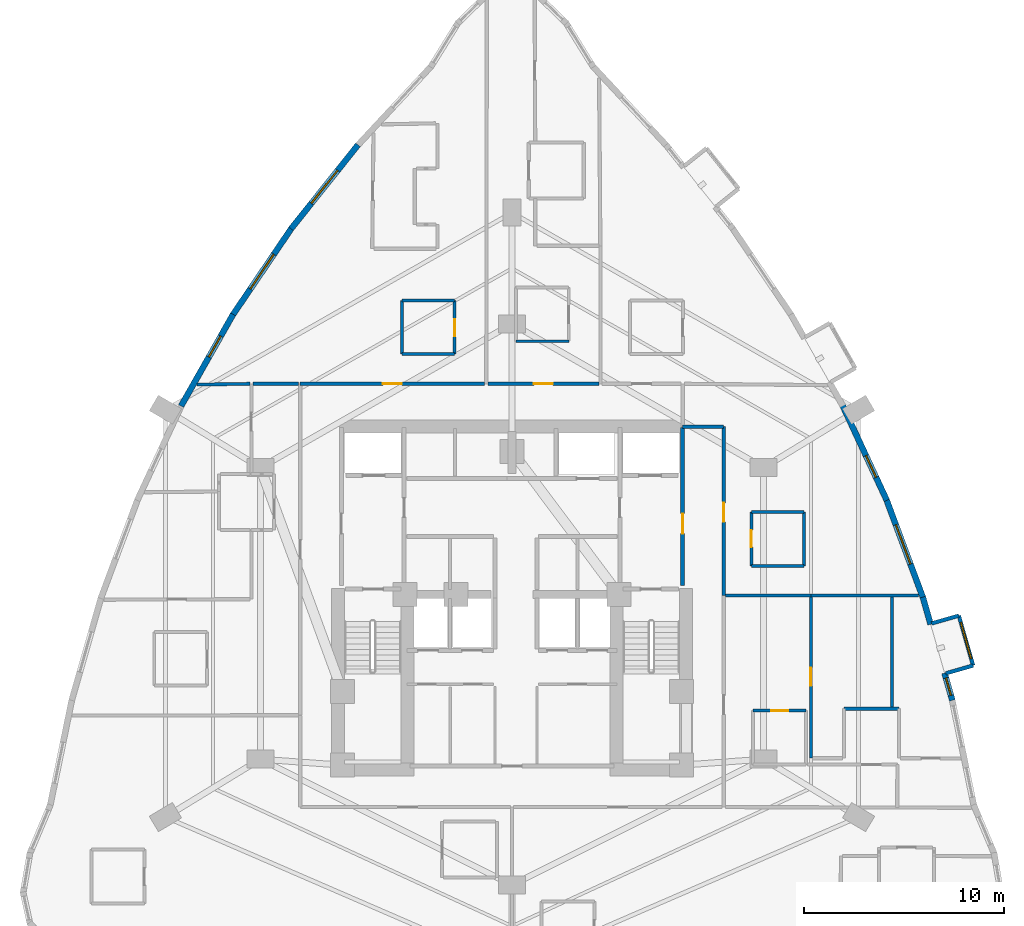
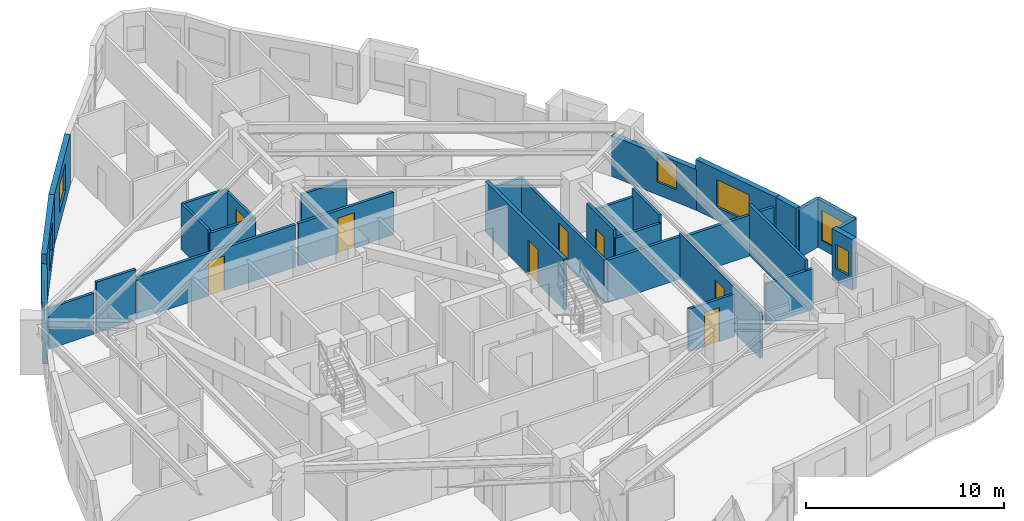
# One storey, part 10 of 13: 32 walls, 8 doors, 7 windows, 15 openings.
"""IFC4 building model written with IfcOpenShell, lengths in metres."""

from ifc_helpers import new_model, si_unit, direction, frame, frame_2d, origin, place, context, subcontext, project, spatial, rectangle, extrude, material, layer, layer_set, type_object, element, fill, save


model = new_model("IFC4")

# Units and contexts
model_context = context("Model", 3, precision=1e-05, world=origin(), true_north=direction((0.0, 1.0)))
body_context = subcontext(model_context, "Body", "Model", "MODEL_VIEW")
ifc_project = project(units=[si_unit("LENGTHUNIT", "METRE"), si_unit("AREAUNIT", "SQUARE_METRE"), si_unit("VOLUMEUNIT", "CUBIC_METRE"), si_unit("PLANEANGLEUNIT", "RADIAN"), si_unit("MASSUNIT", "GRAM", prefix="KILO")], contexts=[model_context])

# Site, building, storey
site_placement = place(None, origin())
site = spatial("IfcSite", under=ifc_project, at=site_placement, CompositionType="ELEMENT")
building_placement = place(site_placement, origin())
building = spatial("IfcBuilding", under=site, at=building_placement, Name="Miruveldt Soraemaru", CompositionType="ELEMENT")
storey_placement = place(building_placement, frame((0.0, 0.0, 63.199951171875)))
storey = spatial("IfcBuildingStorey", under=building, at=storey_placement, Name="L17", CompositionType="ELEMENT", Elevation=63.199951171875)

# Walls
ifc_material_1 = material(Name="White powder-coated aluminium EN AW-6060 T6", Category="aluminium")
ifc_layer_1 = layer(ifc_material_1, 0.18994140625, Name="White powder-coated aluminium EN AW-6060 T6", Category="aluminium")
ifc_layer_set_1 = layer_set([ifc_layer_1], Name="White powder-coated aluminium EN AW-6060 T6")
wall_type_1 = type_object("IfcWallType", Name="WALL-BAY-ALU190", PredefinedType="SOLIDWALL", material=ifc_layer_set_1)
wall_1_placement = place(storey_placement, frame((65.724365234375, 40.097900390625, 0.0), z_axis=(0.0, 0.0, 1.0), x_axis=(0.961452801096, 0.274970018845, 0.0)))
element("IfcWall", 1, at=wall_1_placement, inside=storey, type_object=wall_type_1, Name="L17 Bay Window Side Cheek 4L", PredefinedType="SOLIDWALL", context=body_context, shape_type="SweptSolid", body=[
    extrude(rectangle(XDim=1.425048828125, YDim=0.18994140625, at=frame_2d((0.71240234375, 0.0))), origin(), (0.0, 0.0, 1.0), 2.97509765625),
])
wall_2_placement = place(storey_placement, frame((66.37939453125, 42.989501953125, 0.0), z_axis=(0.0, 0.0, 1.0), x_axis=(-0.961439844578, -0.275015318223, 0.0)))
element("IfcWall", 2, at=wall_2_placement, inside=storey, type_object=wall_type_1, Name="L17 Bay Window Side Cheek 4R", PredefinedType="SOLIDWALL", context=body_context, shape_type="SweptSolid", body=[
    extrude(rectangle(XDim=1.4248046875, YDim=0.18994140625, at=frame_2d((0.71240234375, 0.0))), origin(), (0.0, 0.0, 1.0), 2.97509765625),
])

# Wall, opening, window
wall_3_placement = place(storey_placement, frame((67.094482421875, 40.48974609375, 0.0), z_axis=(0.0, 0.0, 1.0), x_axis=(-0.275031158597, 0.961435313373, 0.0)))
wall_3 = element("IfcWall", 3, at=wall_3_placement, inside=storey, type_object=wall_type_1, Name="L17 Bay Window Front Frame 4", PredefinedType="SOLIDWALL", context=body_context, shape_type="SweptSolid", body=[
    extrude(rectangle(XDim=2.60009765625, YDim=0.18994140625, at=frame_2d((1.300048828125, 0.0))), origin(), (0.0, 0.0, 1.0), 2.97509765625),
])
opening_1_placement = place(wall_3_placement, frame((0.35009765625, 0.0, 0.550048828125)))
opening_1 = element("IfcOpeningElement", 4, at=opening_1_placement, cuts=wall_3, Name="Opening WN-6", PredefinedType="OPENING", context=body_context, shape_type="SweptSolid", body=[
    extrude(rectangle(XDim=1.89990234375, YDim=1.85009765625, at=frame_2d((0.949951171875, 0.925048828125))), frame((0.0, 0.10498046875, 0.0), z_axis=(0.0, -1.0, 0.0), x_axis=(1.0, 0.0, 0.0)), (0.0, 0.0, 1.0), 0.2099609375),
])
ifc_material_2 = material(Name="Triple low-e insulated glazing", Category="glass")
window_type_1 = type_object("IfcWindowType", Name="WIN-BAYW-1900x1850", PartitioningType="SINGLE_PANEL", PredefinedType="WINDOW", material=ifc_material_2)
window_1_placement = place(opening_1_placement, origin())
window_1 = element("IfcWindow", 5, at=window_1_placement, inside=storey, type_object=window_type_1, Name="L17 Projecting Bay Window 4", OverallHeight=1.85009765625, OverallWidth=1.89990234375, PartitioningType="SINGLE_PANEL", PredefinedType="WINDOW", context=body_context, shape_type="SweptSolid", body=[
    extrude(rectangle(XDim=1.89990234375, YDim=1.85009765625, at=frame_2d((0.949951171875, 0.925048828125))), frame((0.0, 0.030029296875, 0.0), z_axis=(0.0, -1.0, 0.0), x_axis=(1.0, 0.0, 0.0)), (0.0, 0.0, 1.0), 0.06005859375),
])
fill(opening_1, window_1)

ifc_material_3 = material(Name="Precast concrete C45/55 (45 MPa)", Category="concrete")
ifc_layer_2 = layer(ifc_material_3, 0.300048828125, Name="Precast concrete C45/55 (45 MPa)", Category="concrete")
ifc_layer_set_2 = layer_set([ifc_layer_2], Name="Precast concrete C45/55 (45 MPa)")
wall_type_2 = type_object("IfcWallType", Name="WALL-EXT-PC300", PredefinedType="SOLIDWALL", material=ifc_layer_set_2)
wall_4_placement = place(storey_placement, frame((36.285400390625, 66.563232421875, 0.0), z_axis=(0.0, 0.0, 1.0), x_axis=(-0.623631415275, -0.781718528553, 0.0)))
wall_4 = element("IfcWall", 6, at=wall_4_placement, inside=storey, type_object=wall_type_2, Name="L17 Precast Concrete Facade Wall 8", PredefinedType="SOLIDWALL", context=body_context, shape_type="SweptSolid", body=[
    extrude(rectangle(XDim=5.37744140625, YDim=0.300048828125, at=frame_2d((2.688720703125, 0.0))), origin(), (0.0, 0.0, 1.0), 3.125),
])
opening_2_placement = place(wall_4_placement, frame((1.637939453125, 0.0, 0.800048828125)))
opening_2 = element("IfcOpeningElement", 7, at=opening_2_placement, cuts=wall_4, Name="Opening WN-1", PredefinedType="OPENING", context=body_context, shape_type="SweptSolid", body=[
    extrude(rectangle(XDim=2.10009765625, YDim=1.699951171875, at=frame_2d((1.050048828125, 0.85009765625))), frame((0.0, 0.16015625, 0.0), z_axis=(0.0, -1.0, 0.0), x_axis=(1.0, 0.0, 0.0)), (0.0, 0.0, 1.0), 0.320068359375),
])
window_type_2 = type_object("IfcWindowType", Name="WIN-PUNCH-2100x1700", PartitioningType="SINGLE_PANEL", PredefinedType="WINDOW", material=ifc_material_2)
window_2_placement = place(opening_2_placement, origin())
window_2 = element("IfcWindow", 8, at=window_2_placement, inside=storey, type_object=window_type_2, Name="L17 Punched Triple-Glazed Window 08.1", OverallHeight=1.699951171875, OverallWidth=2.10009765625, PartitioningType="SINGLE_PANEL", PredefinedType="WINDOW", context=body_context, shape_type="SweptSolid", body=[
    extrude(rectangle(XDim=2.10009765625, YDim=1.699951171875, at=frame_2d((1.050048828125, 0.85009765625))), frame((0.0, 0.030029296875, 0.0), z_axis=(0.0, -1.0, 0.0), x_axis=(1.0, 0.0, 0.0)), (0.0, 0.0, 1.0), 0.06005859375),
])
fill(opening_2, window_2)

wall_5_placement = place(storey_placement, frame((32.973388671875, 62.416015625, 0.0), z_axis=(0.0, 0.0, 1.0), x_axis=(-0.560805458983, -0.827947605332, 0.0)))
wall_5 = element("IfcWall", 9, at=wall_5_placement, inside=storey, type_object=wall_type_2, Name="L17 Precast Concrete Facade Wall 9", PredefinedType="SOLIDWALL", context=body_context, shape_type="SweptSolid", body=[
    extrude(rectangle(XDim=5.3115234375, YDim=0.300048828125, at=frame_2d((2.65576171875, 0.0))), origin(), (0.0, 0.0, 1.0), 3.125),
])
opening_3_placement = place(wall_5_placement, frame((1.60595703125, 0.0, 0.800048828125)))
opening_3 = element("IfcOpeningElement", 10, at=opening_3_placement, cuts=wall_5, Name="Opening WN-1", PredefinedType="OPENING", context=body_context, shape_type="SweptSolid", body=[
    extrude(rectangle(XDim=2.10009765625, YDim=1.699951171875, at=frame_2d((1.050048828125, 0.85009765625))), frame((0.0, 0.16015625, 0.0), z_axis=(0.0, -1.0, 0.0), x_axis=(1.0, 0.0, 0.0)), (0.0, 0.0, 1.0), 0.320068359375),
])
window_3_placement = place(opening_3_placement, origin())
window_3 = element("IfcWindow", 11, at=window_3_placement, inside=storey, type_object=window_type_2, Name="L17 Punched Triple-Glazed Window 09.1", OverallHeight=1.699951171875, OverallWidth=2.10009765625, PartitioningType="SINGLE_PANEL", PredefinedType="WINDOW", context=body_context, shape_type="SweptSolid", body=[
    extrude(rectangle(XDim=2.10009765625, YDim=1.699951171875, at=frame_2d((1.050048828125, 0.85009765625))), frame((0.0, 0.030029296875, 0.0), z_axis=(0.0, -1.0, 0.0), x_axis=(1.0, 0.0, 0.0)), (0.0, 0.0, 1.0), 0.06005859375),
])
fill(opening_3, window_3)

wall_6_placement = place(storey_placement, frame((30.031494140625, 58.077880859375, 0.0), z_axis=(0.0, 0.0, 1.0), x_axis=(-0.493371966501, -0.869818430864, 0.0)))
wall_6 = element("IfcWall", 12, at=wall_6_placement, inside=storey, type_object=wall_type_2, Name="L17 Precast Concrete Facade Wall 10", PredefinedType="SOLIDWALL", context=body_context, shape_type="SweptSolid", body=[
    extrude(rectangle(XDim=5.278564453125, YDim=0.300048828125, at=frame_2d((2.63916015625, 0.0))), origin(), (0.0, 0.0, 1.0), 2.512939453125),
])
opening_4_placement = place(wall_6_placement, frame((1.256103515625, 0.0, 0.780029296875)))
opening_4 = element("IfcOpeningElement", 13, at=opening_4_placement, cuts=wall_6, Name="Opening WN-4", PredefinedType="OPENING", context=body_context, shape_type="SweptSolid", body=[
    extrude(rectangle(XDim=1.199951171875, YDim=1.550048828125, at=frame_2d((0.60009765625, 0.77490234375))), frame((0.0, 0.16015625, 0.0), z_axis=(0.0, -1.0, 0.0), x_axis=(1.0, 0.0, 0.0)), (0.0, 0.0, 1.0), 0.320068359375),
])
window_type_3 = type_object("IfcWindowType", Name="WIN-PUNCH-1200x1550", PartitioningType="SINGLE_PANEL", PredefinedType="WINDOW", material=ifc_material_2)
window_4_placement = place(opening_4_placement, origin())
window_4 = element("IfcWindow", 14, at=window_4_placement, inside=storey, type_object=window_type_3, Name="L17 Punched Triple-Glazed Window 10.1", OverallHeight=1.550048828125, OverallWidth=1.199951171875, PartitioningType="SINGLE_PANEL", PredefinedType="WINDOW", context=body_context, shape_type="SweptSolid", body=[
    extrude(rectangle(XDim=1.199951171875, YDim=1.550048828125, at=frame_2d((0.60009765625, 0.77490234375))), frame((0.0, 0.030029296875, 0.0), z_axis=(0.0, -1.0, 0.0), x_axis=(1.0, 0.0, 0.0)), (0.0, 0.0, 1.0), 0.06005859375),
])
fill(opening_4, window_4)

wall_7_placement = place(storey_placement, frame((66.05322265625, 38.74755859375, 0.0), z_axis=(0.0, 0.0, 1.0), x_axis=(-0.274834773231, 0.961491470281, 0.0)))
wall_7 = element("IfcWall", 15, at=wall_7_placement, inside=storey, type_object=wall_type_2, Name="L17 Precast Pier Wall 36A", PredefinedType="SOLIDWALL", context=body_context, shape_type="SweptSolid", body=[
    extrude(rectangle(XDim=1.418701171875, YDim=0.300048828125, at=frame_2d((0.70947265625, 0.0))), origin(), (0.0, 0.0, 1.0), 3.125),
])
opening_5_placement = place(wall_7_placement, frame((0.260009765625, 0.0, 0.780029296875)))
opening_5 = element("IfcOpeningElement", 16, at=opening_5_placement, cuts=wall_7, Name="Opening WN-7", PredefinedType="OPENING", context=body_context, shape_type="SweptSolid", body=[
    extrude(rectangle(XDim=0.89990234375, YDim=1.5, at=frame_2d((0.449951171875, 0.75))), frame((0.0, 0.16015625, 0.0), z_axis=(0.0, -1.0, 0.0), x_axis=(1.0, 0.0, 0.0)), (0.0, 0.0, 1.0), 0.320068359375),
])
window_type_4 = type_object("IfcWindowType", Name="WIN-PUNCH-900x1500", PartitioningType="SINGLE_PANEL", PredefinedType="WINDOW", material=ifc_material_2)
window_5_placement = place(opening_5_placement, origin())
window_5 = element("IfcWindow", 17, at=window_5_placement, inside=storey, type_object=window_type_4, Name="L17 Punched Triple-Glazed Window 36A.1", OverallHeight=1.5, OverallWidth=0.89990234375, PartitioningType="SINGLE_PANEL", PredefinedType="WINDOW", context=body_context, shape_type="SweptSolid", body=[
    extrude(rectangle(XDim=0.89990234375, YDim=1.5, at=frame_2d((0.449951171875, 0.75))), frame((0.0, 0.030029296875, 0.0), z_axis=(0.0, -1.0, 0.0), x_axis=(1.0, 0.0, 0.0)), (0.0, 0.0, 1.0), 0.06005859375),
])
fill(opening_5, window_5)

# Wall
wall_8_placement = place(storey_placement, frame((64.964599609375, 42.5537109375, 0.0), z_axis=(0.0, 0.0, 1.0), x_axis=(-0.274880256619, 0.961478468049, 0.0)))
element("IfcWall", 18, at=wall_8_placement, inside=storey, type_object=wall_type_2, Name="L17 Precast Pier Wall 36B", PredefinedType="SOLIDWALL", context=body_context, shape_type="SweptSolid", body=[
    extrude(rectangle(XDim=1.41845703125, YDim=0.300048828125, at=frame_2d((0.709228515625, 0.0))), origin(), (0.0, 0.0, 1.0), 3.125),
])

# Wall, opening, window
wall_9_placement = place(storey_placement, frame((64.596435546875, 43.85107421875, 0.0), z_axis=(0.0, 0.0, 1.0), x_axis=(-0.349006928215, 0.937120143876, 0.0)))
wall_9 = element("IfcWall", 19, at=wall_9_placement, inside=storey, type_object=wall_type_2, Name="L17 Precast Concrete Facade Wall 37", PredefinedType="SOLIDWALL", context=body_context, shape_type="SweptSolid", body=[
    extrude(rectangle(XDim=5.3115234375, YDim=0.300048828125, at=frame_2d((2.65576171875, 0.0))), origin(), (0.0, 0.0, 1.0), 3.125),
])
opening_6_placement = place(wall_9_placement, frame((1.8359375, 0.0, 0.800048828125)))
opening_6 = element("IfcOpeningElement", 20, at=opening_6_placement, cuts=wall_9, Name="Opening WN-1", PredefinedType="OPENING", context=body_context, shape_type="SweptSolid", body=[
    extrude(rectangle(XDim=2.10009765625, YDim=1.699951171875, at=frame_2d((1.050048828125, 0.85009765625))), frame((0.0, 0.16015625, 0.0), z_axis=(0.0, -1.0, 0.0), x_axis=(1.0, 0.0, 0.0)), (0.0, 0.0, 1.0), 0.320068359375),
])
window_6_placement = place(opening_6_placement, origin())
window_6 = element("IfcWindow", 21, at=window_6_placement, inside=storey, type_object=window_type_2, Name="L17 Punched Triple-Glazed Window 37.1", OverallHeight=1.699951171875, OverallWidth=2.10009765625, PartitioningType="SINGLE_PANEL", PredefinedType="WINDOW", context=body_context, shape_type="SweptSolid", body=[
    extrude(rectangle(XDim=2.10009765625, YDim=1.699951171875, at=frame_2d((1.050048828125, 0.85009765625))), frame((0.0, 0.030029296875, 0.0), z_axis=(0.0, -1.0, 0.0), x_axis=(1.0, 0.0, 0.0)), (0.0, 0.0, 1.0), 0.06005859375),
])
fill(opening_6, window_6)

wall_10_placement = place(storey_placement, frame((62.769775390625, 48.76416015625, 0.0), z_axis=(0.0, 0.0, 1.0), x_axis=(-0.422343511182, 0.906435854632, 0.0)))
wall_10 = element("IfcWall", 22, at=wall_10_placement, inside=storey, type_object=wall_type_2, Name="L17 Precast Concrete Facade Wall 38", PredefinedType="SOLIDWALL", context=body_context, shape_type="SweptSolid", body=[
    extrude(rectangle(XDim=5.2783203125, YDim=0.300048828125, at=frame_2d((2.63916015625, 0.0))), origin(), (0.0, 0.0, 1.0), 2.512939453125),
])
opening_7_placement = place(wall_10_placement, frame((1.27001953125, 0.0, 0.780029296875)))
opening_7 = element("IfcOpeningElement", 23, at=opening_7_placement, cuts=wall_10, Name="Opening WN-4", PredefinedType="OPENING", context=body_context, shape_type="SweptSolid", body=[
    extrude(rectangle(XDim=1.199951171875, YDim=1.550048828125, at=frame_2d((0.60009765625, 0.77490234375))), frame((0.0, 0.16015625, 0.0), z_axis=(0.0, -1.0, 0.0), x_axis=(1.0, 0.0, 0.0)), (0.0, 0.0, 1.0), 0.320068359375),
])
window_7_placement = place(opening_7_placement, origin())
window_7 = element("IfcWindow", 24, at=window_7_placement, inside=storey, type_object=window_type_3, Name="L17 Punched Triple-Glazed Window 38.1", OverallHeight=1.550048828125, OverallWidth=1.199951171875, PartitioningType="SINGLE_PANEL", PredefinedType="WINDOW", context=body_context, shape_type="SweptSolid", body=[
    extrude(rectangle(XDim=1.199951171875, YDim=1.550048828125, at=frame_2d((0.60009765625, 0.77490234375))), frame((0.0, 0.030029296875, 0.0), z_axis=(0.0, -1.0, 0.0), x_axis=(1.0, 0.0, 0.0)), (0.0, 0.0, 1.0), 0.06005859375),
])
fill(opening_7, window_7)

# Wall, opening, door
ifc_material_4 = material(Name="Gypsum plasterboard lining", Category="gypsum")
ifc_layer_3 = layer(ifc_material_4, 0.14990234375, Name="Gypsum plasterboard lining", Category="gypsum")
ifc_layer_set_3 = layer_set([ifc_layer_3], Name="Gypsum plasterboard lining")
wall_type_3 = type_object("IfcWallType", Name="WALL-INT-PLUMB", PredefinedType="PLUMBINGWALL", material=ifc_layer_set_3)
wall_11_placement = place(storey_placement, frame((41.1298828125, 56.080078125, 0.0), z_axis=(0.0, 0.0, 1.0), x_axis=(0.0, 1.0, 0.0)))
wall_11 = element("IfcWall", 25, at=wall_11_placement, inside=storey, type_object=wall_type_3, Name="L17 Partition Wall 12", PredefinedType="PLUMBINGWALL", context=body_context, shape_type="SweptSolid", body=[
    extrude(rectangle(XDim=2.699951171875, YDim=0.14990234375, at=frame_2d((1.35009765625, 0.0))), origin(), (0.0, 0.0, 1.0), 2.625),
])
opening_8_placement = place(wall_11_placement, frame((0.909912109375, 0.0, 0.0)))
opening_8 = element("IfcOpeningElement", 26, at=opening_8_placement, cuts=wall_11, Name="Opening FD3", PredefinedType="OPENING", context=body_context, shape_type="SweptSolid", body=[
    extrude(rectangle(XDim=0.85009765625, YDim=2.10009765625, at=frame_2d((0.425048828125, 1.050048828125))), frame((0.0, 0.0849609375, 0.0), z_axis=(0.0, -1.0, 0.0), x_axis=(1.0, 0.0, 0.0)), (0.0, 0.0, 1.0), 0.169921875),
])
ifc_material_5 = material(Name="Anodised aluminium EN AW-6063 T6", Category="aluminium")
door_type_1 = type_object("IfcDoorType", Name="DOOR-FD3-850", OperationType="NOTDEFINED", PredefinedType="DOOR", material=ifc_material_5)
door_1_placement = place(opening_8_placement, origin())
door_1 = element("IfcDoor", 27, at=door_1_placement, inside=storey, type_object=door_type_1, Name="L17 Unit 1702 BTH Door", OperationType="SINGLE_SWING_RIGHT", OverallHeight=2.10009765625, OverallWidth=0.85009765625, PredefinedType="DOOR", context=body_context, shape_type="SweptSolid", body=[
    extrude(rectangle(XDim=0.85009765625, YDim=2.10009765625, at=frame_2d((0.425048828125, 1.050048828125))), frame((0.0, 0.02490234375, 0.0), z_axis=(0.0, -1.0, 0.0), x_axis=(1.0, 0.0, 0.0)), (0.0, 0.0, 1.0), 0.050048828125),
])
fill(opening_8, door_1)

wall_12_placement = place(storey_placement, frame((55.98193359375, 48.179931640625, 0.0), z_axis=(0.0, 0.0, 1.0), x_axis=(0.0, -1.0, 0.0)))
wall_12 = element("IfcWall", 28, at=wall_12_placement, inside=storey, type_object=wall_type_3, Name="L17 Partition Wall 72", PredefinedType="PLUMBINGWALL", context=body_context, shape_type="SweptSolid", body=[
    extrude(rectangle(XDim=2.699951171875, YDim=0.14990234375, at=frame_2d((1.35009765625, 0.0))), origin(), (0.0, 0.0, 1.0), 3.125),
])
opening_9_placement = place(wall_12_placement, frame((0.909912109375, 0.0, 0.0)))
opening_9 = element("IfcOpeningElement", 29, at=opening_9_placement, cuts=wall_12, Name="Opening FD3", PredefinedType="OPENING", context=body_context, shape_type="SweptSolid", body=[
    extrude(rectangle(XDim=0.85009765625, YDim=2.10009765625, at=frame_2d((0.425048828125, 1.050048828125))), frame((0.0, 0.0849609375, 0.0), z_axis=(0.0, -1.0, 0.0), x_axis=(1.0, 0.0, 0.0)), (0.0, 0.0, 1.0), 0.169921875),
])
door_2_placement = place(opening_9_placement, origin())
door_2 = element("IfcDoor", 30, at=door_2_placement, inside=storey, type_object=door_type_1, Name="L17 Unit CL07 BTH Door", OperationType="SINGLE_SWING_LEFT", OverallHeight=2.10009765625, OverallWidth=0.85009765625, PredefinedType="DOOR", context=body_context, shape_type="SweptSolid", body=[
    extrude(rectangle(XDim=0.85009765625, YDim=2.10009765625, at=frame_2d((0.425048828125, 1.050048828125))), frame((0.0, 0.02490234375, 0.0), z_axis=(0.0, -1.0, 0.0), x_axis=(1.0, 0.0, 0.0)), (0.0, 0.0, 1.0), 0.050048828125),
])
fill(opening_9, door_2)

wall_13_placement = place(storey_placement, frame((58.72998046875, 38.22998046875, 0.0), z_axis=(0.0, 0.0, 1.0), x_axis=(-1.0, 0.0, 0.0)))
wall_13 = element("IfcWall", 31, at=wall_13_placement, inside=storey, type_object=wall_type_3, Name="L17 Partition Wall 59", PredefinedType="PLUMBINGWALL", context=body_context, shape_type="SweptSolid", body=[
    extrude(rectangle(XDim=2.64990234375, YDim=0.14990234375, at=frame_2d((1.324951171875, 0.0))), origin(), (0.0, 0.0, 1.0), 2.625),
])
opening_10_placement = place(wall_13_placement, frame((0.885009765625, 0.0, 0.0)))
opening_10 = element("IfcOpeningElement", 32, at=opening_10_placement, cuts=wall_13, Name="Opening FD3", PredefinedType="OPENING", context=body_context, shape_type="SweptSolid", body=[
    extrude(rectangle(XDim=0.85009765625, YDim=2.10009765625, at=frame_2d((0.425048828125, 1.050048828125))), frame((0.0, 0.0849609375, 0.0), z_axis=(0.0, -1.0, 0.0), x_axis=(1.0, 0.0, 0.0)), (0.0, 0.0, 1.0), 0.169921875),
])
door_3_placement = place(opening_10_placement, origin())
door_3 = element("IfcDoor", 33, at=door_3_placement, inside=storey, type_object=door_type_1, Name="L17 Unit 1706 BTH Door", OperationType="SINGLE_SWING_RIGHT", OverallHeight=2.10009765625, OverallWidth=0.85009765625, PredefinedType="DOOR", context=body_context, shape_type="SweptSolid", body=[
    extrude(rectangle(XDim=0.85009765625, YDim=2.10009765625, at=frame_2d((0.425048828125, 1.050048828125))), frame((0.0, 0.02490234375, 0.0), z_axis=(0.0, -1.0, 0.0), x_axis=(1.0, 0.0, 0.0)), (0.0, 0.0, 1.0), 0.050048828125),
])
fill(opening_10, door_3)

# Walls
wall_14_placement = place(storey_placement, frame((38.47998046875, 58.780029296875, 0.0), z_axis=(0.0, 0.0, 1.0), x_axis=(0.0, -1.0, 0.0)))
element("IfcWall", 34, at=wall_14_placement, inside=storey, type_object=wall_type_3, Name="L17 Partition Wall 14", PredefinedType="PLUMBINGWALL", context=body_context, shape_type="SweptSolid", body=[
    extrude(rectangle(XDim=2.699951171875, YDim=0.14990234375, at=frame_2d((1.35009765625, 0.0))), origin(), (0.0, 0.0, 1.0), 2.81298828125),
])
wall_15_placement = place(storey_placement, frame((58.632080078125, 45.47998046875, 0.0), z_axis=(0.0, 0.0, 1.0), x_axis=(0.0, 1.0, 0.0)))
element("IfcWall", 35, at=wall_15_placement, inside=storey, type_object=wall_type_3, Name="L17 Partition Wall 97", PredefinedType="PLUMBINGWALL", context=body_context, shape_type="SweptSolid", body=[
    extrude(rectangle(XDim=2.699951171875, YDim=0.14990234375, at=frame_2d((1.35009765625, 0.0))), origin(), (0.0, 0.0, 1.0), 3.125),
])
wall_16_placement = place(storey_placement, frame((41.1298828125, 58.780029296875, 0.0), z_axis=(0.0, 0.0, 1.0), x_axis=(-1.0, 0.0, 0.0)))
element("IfcWall", 36, at=wall_16_placement, inside=storey, type_object=wall_type_3, Name="L17 Partition Wall 13", PredefinedType="PLUMBINGWALL", context=body_context, shape_type="SweptSolid", body=[
    extrude(rectangle(XDim=2.64990234375, YDim=0.14990234375, at=frame_2d((1.324951171875, 0.0))), origin(), (0.0, 0.0, 1.0), 2.81298828125),
])
wall_17_placement = place(storey_placement, frame((38.47998046875, 56.080078125, 0.0), z_axis=(0.0, 0.0, 1.0), x_axis=(1.0, 0.0, 0.0)))
element("IfcWall", 37, at=wall_17_placement, inside=storey, type_object=wall_type_3, Name="L17 Partition Wall 15", PredefinedType="PLUMBINGWALL", context=body_context, shape_type="SweptSolid", body=[
    extrude(rectangle(XDim=2.64990234375, YDim=0.14990234375, at=frame_2d((1.324951171875, 0.0))), origin(), (0.0, 0.0, 1.0), 2.625),
])
for number, where, z_axis, x_axis, name in (
    (38, (44.19189453125, 56.72998046875, 0.0), (0.0, 0.0, 1.0), (1.0, 0.0, 0.0), "L17 Partition Wall 30"),
    (39, (55.98193359375, 45.47998046875, 0.0), (0.0, 0.0, 1.0), (1.0, 0.0, 0.0), "L17 Partition Wall 73"),
    (40, (58.632080078125, 48.179931640625, 0.0), (0.0, 0.0, 1.0), (-1.0, 0.0, 0.0), "L17 Partition Wall 98"),
):
    element("IfcWall", number, at=place(storey_placement, frame(where, z_axis=z_axis, x_axis=x_axis)), inside=storey, type_object=wall_type_3, Name=name, PredefinedType="PLUMBINGWALL", context=body_context, shape_type="SweptSolid", body=[
        extrude(rectangle(XDim=2.650146484375, YDim=0.14990234375, at=frame_2d((1.3251953125, 0.0))), origin(), (0.0, 0.0, 1.0), 2.625),
    ])

# Wall, opening, door
ifc_material_6 = material(Name="Concrete C40/50 (40 MPa)", Category="concrete")
ifc_layer_4 = layer(ifc_material_6, 0.159912109375, Name="Concrete C40/50 (40 MPa)", Category="concrete")
ifc_layer_set_4 = layer_set([ifc_layer_4], Name="Concrete C40/50 (40 MPa)")
wall_type_4 = type_object("IfcWallType", Name="WALL-INT-RC160", PredefinedType="SOLIDWALL", material=ifc_layer_set_4)
wall_18_placement = place(storey_placement, frame((42.626953125, 54.60009765625, 0.0), z_axis=(0.0, 0.0, 1.0), x_axis=(-1.0, 0.0, 0.0)))
wall_18 = element("IfcWall", 41, at=wall_18_placement, inside=storey, type_object=wall_type_4, Name="L17 Partition Wall 1", PredefinedType="SOLIDWALL", context=body_context, shape_type="SweptSolid", body=[
    extrude(rectangle(XDim=9.237060546875, YDim=0.159912109375, at=frame_2d((4.61865234375, 0.0))), origin(), (0.0, 0.0, 1.0), 2.625),
])
opening_11_placement = place(wall_18_placement, frame((4.14404296875, 0.0, 0.0)))
opening_11 = element("IfcOpeningElement", 42, at=opening_11_placement, cuts=wall_18, Name="Opening FD2", PredefinedType="OPENING", context=body_context, shape_type="SweptSolid", body=[
    extrude(rectangle(XDim=0.949951171875, YDim=2.14990234375, at=frame_2d((0.47509765625, 1.074951171875))), frame((0.0, 0.08984375, 0.0), z_axis=(0.0, -1.0, 0.0), x_axis=(1.0, 0.0, 0.0)), (0.0, 0.0, 1.0), 0.179931640625),
])
door_type_2 = type_object("IfcDoorType", Name="DOOR-FD2-950", OperationType="NOTDEFINED", PredefinedType="DOOR", material=ifc_material_5)
door_4_placement = place(opening_11_placement, origin())
door_4 = element("IfcDoor", 43, at=door_4_placement, inside=storey, type_object=door_type_2, Name="L17 Unit 1702 Entrance Fire Door", OperationType="SINGLE_SWING_LEFT", OverallHeight=2.14990234375, OverallWidth=0.949951171875, PredefinedType="DOOR", context=body_context, shape_type="SweptSolid", body=[
    extrude(rectangle(XDim=0.949951171875, YDim=2.14990234375, at=frame_2d((0.47509765625, 1.074951171875))), frame((0.0, 0.02490234375, 0.0), z_axis=(0.0, -1.0, 0.0), x_axis=(1.0, 0.0, 0.0)), (0.0, 0.0, 1.0), 0.050048828125),
])
fill(opening_11, door_4)

wall_19_placement = place(storey_placement, frame((54.60009765625, 44.0, 0.0), z_axis=(0.0, 0.0, 1.0), x_axis=(0.0, 1.0, 0.0)))
wall_19 = element("IfcWall", 44, at=wall_19_placement, inside=storey, type_object=wall_type_4, Name="L17 Partition Wall 6", PredefinedType="SOLIDWALL", context=body_context, shape_type="SweptSolid", body=[
    extrude(rectangle(XDim=8.449951171875, YDim=0.159912109375, at=frame_2d((4.22509765625, 0.0))), origin(), (0.0, 0.0, 1.0), 2.625),
])
opening_12_placement = place(wall_19_placement, frame((3.679931640625, 0.0, 0.0)))
opening_12 = element("IfcOpeningElement", 45, at=opening_12_placement, cuts=wall_19, Name="Opening FD2", PredefinedType="OPENING", context=body_context, shape_type="SweptSolid", body=[
    extrude(rectangle(XDim=0.949951171875, YDim=2.14990234375, at=frame_2d((0.47509765625, 1.074951171875))), frame((0.0, 0.08984375, 0.0), z_axis=(0.0, -1.0, 0.0), x_axis=(1.0, 0.0, 0.0)), (0.0, 0.0, 1.0), 0.179931640625),
])
door_5_placement = place(opening_12_placement, origin())
door_5 = element("IfcDoor", 46, at=door_5_placement, inside=storey, type_object=door_type_2, Name="L17 Unit CL07 Entrance Fire Door", OperationType="SINGLE_SWING_RIGHT", OverallHeight=2.14990234375, OverallWidth=0.949951171875, PredefinedType="DOOR", context=body_context, shape_type="SweptSolid", body=[
    extrude(rectangle(XDim=0.949951171875, YDim=2.14990234375, at=frame_2d((0.47509765625, 1.074951171875))), frame((0.0, 0.02490234375, 0.0), z_axis=(0.0, -1.0, 0.0), x_axis=(1.0, 0.0, 0.0)), (0.0, 0.0, 1.0), 0.050048828125),
])
fill(opening_12, door_5)

wall_20_placement = place(storey_placement, frame((58.968994140625, 35.85009765625, 0.0), z_axis=(0.0, 0.0, 1.0), x_axis=(0.0, 1.0, 0.0)))
wall_20 = element("IfcWall", 47, at=wall_20_placement, inside=storey, type_object=wall_type_4, Name="L17 Partition Wall 64", PredefinedType="SOLIDWALL", context=body_context, shape_type="SweptSolid", body=[
    extrude(rectangle(XDim=8.14990234375, YDim=0.159912109375, at=frame_2d((4.074951171875, 0.0))), origin(), (0.0, 0.0, 1.0), 2.81298828125),
])
opening_13_placement = place(wall_20_placement, frame((3.614990234375, 0.0, 0.0)))
opening_13 = element("IfcOpeningElement", 48, at=opening_13_placement, cuts=wall_20, Name="Opening D3A", PredefinedType="OPENING", context=body_context, shape_type="SweptSolid", body=[
    extrude(rectangle(XDim=0.919921875, YDim=2.10009765625, at=frame_2d((0.4599609375, 1.050048828125))), frame((0.0, 0.08984375, 0.0), z_axis=(0.0, -1.0, 0.0), x_axis=(1.0, 0.0, 0.0)), (0.0, 0.0, 1.0), 0.179931640625),
])
door_type_3 = type_object("IfcDoorType", Name="DOOR-INT-920", OperationType="NOTDEFINED", PredefinedType="DOOR", material=ifc_material_5)
door_6_placement = place(opening_13_placement, origin())
door_6 = element("IfcDoor", 49, at=door_6_placement, inside=storey, type_object=door_type_3, Name="L17 Unit 1706 BD1 Door", OperationType="SINGLE_SWING_RIGHT", OverallHeight=2.10009765625, OverallWidth=0.919921875, PredefinedType="DOOR", context=body_context, shape_type="SweptSolid", body=[
    extrude(rectangle(XDim=0.919921875, YDim=2.10009765625, at=frame_2d((0.4599609375, 1.050048828125))), frame((0.0, 0.02490234375, 0.0), z_axis=(0.0, -1.0, 0.0), x_axis=(1.0, 0.0, 0.0)), (0.0, 0.0, 1.0), 0.050048828125),
])
fill(opening_13, door_6)

wall_21_placement = place(storey_placement, frame((48.344970703125, 54.60009765625, 0.0), z_axis=(0.0, 0.0, 1.0), x_axis=(-1.0, 0.0, 0.0)))
wall_21 = element("IfcWall", 50, at=wall_21_placement, inside=storey, type_object=wall_type_4, Name="L17 Partition Wall 2", PredefinedType="SOLIDWALL", context=body_context, shape_type="SweptSolid", body=[
    extrude(rectangle(XDim=5.552978515625, YDim=0.159912109375, at=frame_2d((2.7763671875, 0.0))), origin(), (0.0, 0.0, 1.0), 2.625),
])
opening_14_placement = place(wall_21_placement, frame((2.301025390625, 0.0, 0.0)))
opening_14 = element("IfcOpeningElement", 51, at=opening_14_placement, cuts=wall_21, Name="Opening FD2", PredefinedType="OPENING", context=body_context, shape_type="SweptSolid", body=[
    extrude(rectangle(XDim=0.949951171875, YDim=2.14990234375, at=frame_2d((0.47509765625, 1.074951171875))), frame((0.0, 0.08984375, 0.0), z_axis=(0.0, -1.0, 0.0), x_axis=(1.0, 0.0, 0.0)), (0.0, 0.0, 1.0), 0.179931640625),
])
door_7_placement = place(opening_14_placement, origin())
door_7 = element("IfcDoor", 52, at=door_7_placement, inside=storey, type_object=door_type_2, Name="L17 Unit 1703 Entrance Fire Door", OperationType="SINGLE_SWING_RIGHT", OverallHeight=2.14990234375, OverallWidth=0.949951171875, PredefinedType="DOOR", context=body_context, shape_type="SweptSolid", body=[
    extrude(rectangle(XDim=0.949951171875, YDim=2.14990234375, at=frame_2d((0.47509765625, 1.074951171875))), frame((0.0, 0.02490234375, 0.0), z_axis=(0.0, -1.0, 0.0), x_axis=(1.0, 0.0, 0.0)), (0.0, 0.0, 1.0), 0.050048828125),
])
fill(opening_14, door_7)

# Walls
wall_22_placement = place(storey_placement, frame((63.02587890625, 38.330078125, 0.0), z_axis=(0.0, 0.0, 1.0), x_axis=(0.0, 1.0, 0.0)))
element("IfcWall", 53, at=wall_22_placement, inside=storey, type_object=wall_type_4, Name="L17 Partition Wall 70", PredefinedType="SOLIDWALL", context=body_context, shape_type="SweptSolid", body=[
    extrude(rectangle(XDim=5.669921875, YDim=0.159912109375, at=frame_2d((2.8349609375, 0.0))), origin(), (0.0, 0.0, 1.0), 3.125),
])
wall_23_placement = place(storey_placement, frame((64.364990234375, 44.0, 0.0), z_axis=(0.0, 0.0, 1.0), x_axis=(-1.0, 0.0, 0.0)))
element("IfcWall", 54, at=wall_23_placement, inside=storey, type_object=wall_type_4, Name="L17 Partition Wall 71", PredefinedType="SOLIDWALL", context=body_context, shape_type="SweptSolid", body=[
    extrude(rectangle(XDim=5.406005859375, YDim=0.159912109375, at=frame_2d((2.703125, 0.0))), origin(), (0.0, 0.0, 1.0), 2.512939453125),
])
wall_24_placement = place(storey_placement, frame((58.97900390625, 44.0, 0.0), z_axis=(0.0, 0.0, 1.0), x_axis=(-1.0, 0.0, 0.0)))
element("IfcWall", 55, at=wall_24_placement, inside=storey, type_object=wall_type_4, Name="L17 Partition Wall 66", PredefinedType="SOLIDWALL", context=body_context, shape_type="SweptSolid", body=[
    extrude(rectangle(XDim=4.299072265625, YDim=0.159912109375, at=frame_2d((2.1494140625, 0.0))), origin(), (0.0, 0.0, 1.0), 2.625),
])
wall_25_placement = place(storey_placement, frame((63.3798828125, 38.330078125, 0.0), z_axis=(0.0, 0.0, 1.0), x_axis=(-1.0, 0.0, 0.0)))
element("IfcWall", 56, at=wall_25_placement, inside=storey, type_object=wall_type_4, Name="L17 Partition Wall 96", PredefinedType="SOLIDWALL", context=body_context, shape_type="SweptSolid", body=[
    extrude(rectangle(XDim=2.75, YDim=0.159912109375, at=frame_2d((1.375, 0.0))), origin(), (0.0, 0.0, 1.0), 2.512939453125),
])
wall_26_placement = place(storey_placement, frame((28.22509765625, 54.55810546875, 0.0), z_axis=(0.0, 0.0, 1.0), x_axis=(0.999879792216, 0.015504874016, 0.0)))
element("IfcWall", 57, at=wall_26_placement, inside=storey, type_object=wall_type_4, Name="L17 Partition Wall 26", PredefinedType="SOLIDWALL", context=body_context, shape_type="SweptSolid", body=[
    extrude(rectangle(XDim=2.645263671875, YDim=0.159912109375, at=frame_2d((1.32275390625, 0.0))), origin(), (0.0, 0.0, 1.0), 2.512939453125),
])
wall_27_placement = place(storey_placement, frame((31.030029296875, 54.60009765625, 0.0), z_axis=(0.0, 0.0, 1.0), x_axis=(1.0, 0.0, 0.0)))
element("IfcWall", 58, at=wall_27_placement, inside=storey, type_object=wall_type_4, Name="L17 Partition Wall 25", PredefinedType="SOLIDWALL", context=body_context, shape_type="SweptSolid", body=[
    extrude(rectangle(XDim=2.2900390625, YDim=0.159912109375, at=frame_2d((1.14501953125, 0.0))), origin(), (0.0, 0.0, 1.0), 3.125),
])
wall_28_placement = place(storey_placement, frame((54.60009765625, 52.449951171875, 0.0), z_axis=(0.0, 0.0, 1.0), x_axis=(-1.0, 0.0, 0.0)))
element("IfcWall", 59, at=wall_28_placement, inside=storey, type_object=wall_type_4, Name="L17 Partition Wall 7", PredefinedType="SOLIDWALL", context=body_context, shape_type="SweptSolid", body=[
    extrude(rectangle(XDim=2.050048828125, YDim=0.159912109375, at=frame_2d((1.02490234375, 0.0))), origin(), (0.0, 0.0, 1.0), 2.625),
])

# Wall, opening, door
ifc_layer_5 = layer(ifc_material_6, 0.199951171875, Name="Concrete C40/50 (40 MPa)", Category="concrete")
ifc_layer_set_5 = layer_set([ifc_layer_5], Name="Concrete C40/50 (40 MPa)")
wall_type_5 = type_object("IfcWallType", Name="WALL-INT-RC200", PredefinedType="SOLIDWALL", material=ifc_layer_set_5)
wall_29_placement = place(storey_placement, frame((52.550048828125, 44.5, 0.0), z_axis=(0.0, 0.0, 1.0), x_axis=(0.0, 1.0, 0.0)))
wall_29 = element("IfcWall", 60, at=wall_29_placement, inside=storey, type_object=wall_type_5, Name="L17 Core Compartment Wall FFE-OUT", PredefinedType="SOLIDWALL", context=body_context, shape_type="SweptSolid", body=[
    extrude(rectangle(XDim=7.919921875, YDim=0.199951171875, at=frame_2d((3.9599609375, 0.0))), origin(), (0.0, 0.0, 1.0), 3.125),
])
opening_15_placement = place(wall_29_placement, frame((2.60009765625, 0.0, 0.0)))
opening_15 = element("IfcOpeningElement", 61, at=opening_15_placement, cuts=wall_29, Name="Opening FD1", PredefinedType="OPENING", context=body_context, shape_type="SweptSolid", body=[
    extrude(rectangle(XDim=1.0, YDim=2.14990234375, at=frame_2d((0.5, 1.074951171875))), frame((0.0, 0.10986328125, 0.0), z_axis=(0.0, -1.0, 0.0), x_axis=(1.0, 0.0, 0.0)), (0.0, 0.0, 1.0), 0.219970703125),
])
door_type_4 = type_object("IfcDoorType", Name="DOOR-FD1-1000", OperationType="NOTDEFINED", PredefinedType="DOOR", material=ifc_material_5)
door_8_placement = place(opening_15_placement, frame((1.0, 0.0, 0.0), z_axis=(0.0, 0.0, 1.0), x_axis=(-1.0, 0.0, 0.0)))
door_8 = element("IfcDoor", 62, at=door_8_placement, inside=storey, type_object=door_type_4, Name="L17 East Firefighting Lobby Exit Door", OperationType="SINGLE_SWING_RIGHT", OverallHeight=2.14990234375, OverallWidth=1.0, PredefinedType="DOOR", context=body_context, shape_type="SweptSolid", body=[
    extrude(rectangle(XDim=1.0, YDim=2.14990234375, at=frame_2d((0.5, 1.074951171875))), frame((0.0, 0.02490234375, 0.0), z_axis=(0.0, -1.0, 0.0), x_axis=(1.0, 0.0, 0.0)), (0.0, 0.0, 1.0), 0.050048828125),
])
fill(opening_15, door_8)

save(model, "model.ifc")
